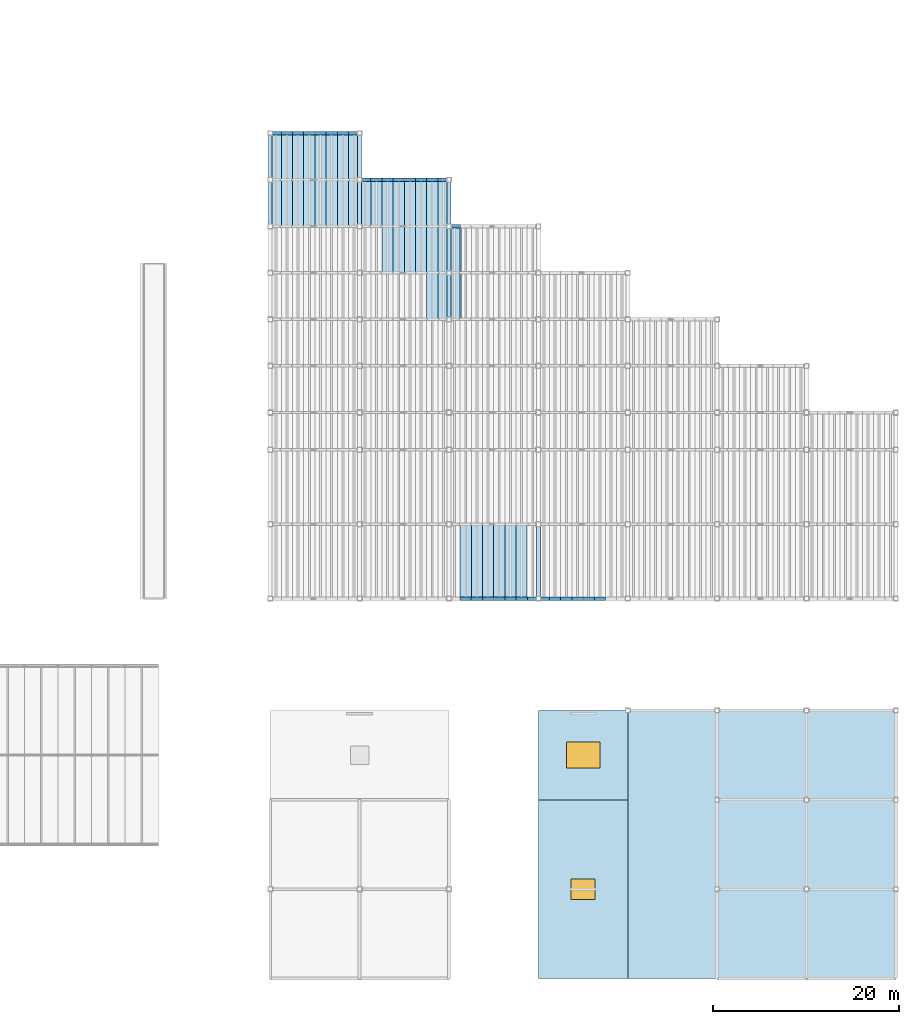
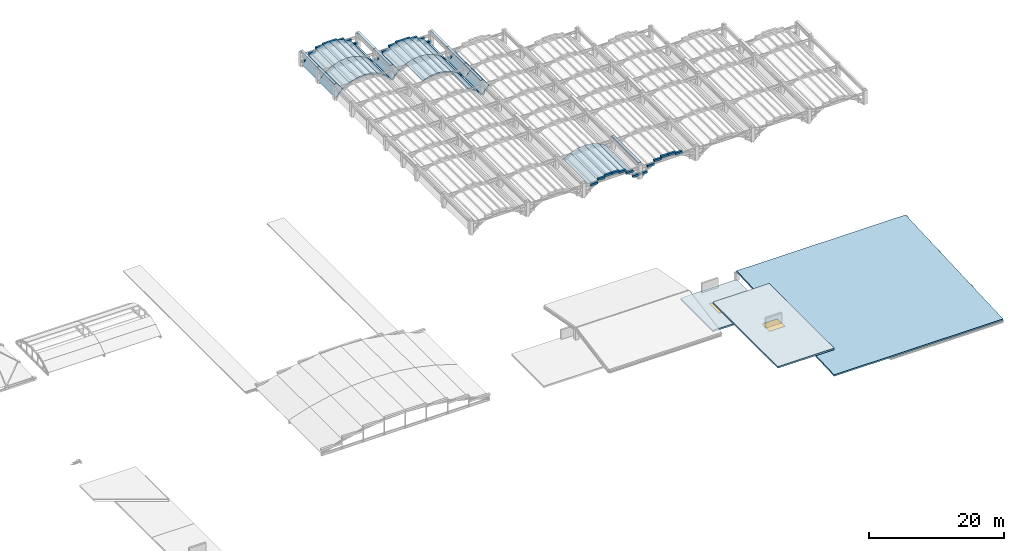
# One storey, part 35 of 70: 43 slabs, 38 plates, 2 windows, 2 openings.
"""IFC4 building model written with IfcOpenShell, lengths in metres."""

from ifc_helpers import new_model, si_unit, direction, frame, origin, origin_2d, place, context, subcontext, project, spatial, polyline, rectangle, outline, extrude, material, layer, layer_set, type_object, element, fill, save


model = new_model("IFC4")

# Units and contexts
model_context = context("Model", 3, precision=1e-05, world=origin(), true_north=direction((0.0, 1.0)))
body_context = subcontext(model_context, "Body", "Model", "MODEL_VIEW")
ifc_project = project(units=[si_unit("LENGTHUNIT", "METRE"), si_unit("AREAUNIT", "SQUARE_METRE"), si_unit("VOLUMEUNIT", "CUBIC_METRE"), si_unit("PLANEANGLEUNIT", "RADIAN"), si_unit("MASSUNIT", "GRAM", prefix="KILO")], contexts=[model_context])

# Site, building, storey
site_placement = place(None, origin())
site = spatial("IfcSite", under=ifc_project, at=site_placement, CompositionType="ELEMENT")
building_placement = place(site_placement, origin())
building = spatial("IfcBuilding", under=site, at=building_placement, Name="Mavantir Sound Aquarium", CompositionType="ELEMENT")
storey_placement = place(building_placement, frame((0.0, 0.0, 27.0)))
storey = spatial("IfcBuildingStorey", under=building, at=storey_placement, Name="RF", CompositionType="ELEMENT", Elevation=27.0)

# Plates
ifc_material_1 = material(Name="Patinated Bronze-Copper Architectural Fascia", Category="metal")
ifc_layer_1 = layer(ifc_material_1, 0.179931640625, Name="Patinated Bronze-Copper Architectural Fascia")
ifc_layer_set_1 = layer_set([ifc_layer_1], Name="Patinated Bronze-Copper Architectural Fascia")
plate_type = type_object("IfcPlateType", Name="PLT-FASCIA-BZ", PredefinedType="SHEET", material=ifc_layer_set_1)
for number, where, z_axis, x_axis, name in (
    (1, (108.0, 83.300048828125, -4.52001953125), (0.0, 0.0, 1.0), (1.0, 0.0, 0.0), "Scalloped roof bronze ridge fascia 8"),
    (2, (108.0, 88.300048828125, -4.52001953125), (0.0, 0.0, 1.0), (1.0, 0.0, 0.0), "Scalloped roof bronze ridge fascia 9"),
    (3, (117.60009765625, 83.300048828125, -4.52001953125), (0.0, 0.0, 1.0), (1.0, 0.0, 0.0), "Scalloped roof bronze ridge fascia 17"),
    (4, (117.60009765625, 88.300048828125, -4.52001953125), (0.0, 0.0, 1.0), (1.0, 0.0, 0.0), "Scalloped roof bronze ridge fascia 18"),
    (5, (127.199951171875, 73.300048828125, -4.52001953125), (0.0, 0.0, 1.0), (1.0, 0.0, 0.0), "Scalloped roof bronze ridge fascia 24"),
    (6, (127.199951171875, 78.300048828125, -4.52001953125), (0.0, 0.0, 1.0), (1.0, 0.0, 0.0), "Scalloped roof bronze ridge fascia 25"),
    (7, (127.199951171875, 83.300048828125, -4.52001953125), (0.0, 0.0, 1.0), (1.0, 0.0, 0.0), "Scalloped roof bronze ridge fascia 26"),
):
    element("IfcPlate", number, at=place(storey_placement, frame(where, z_axis=z_axis, x_axis=x_axis)), inside=storey, type_object=plate_type, Name=name, PredefinedType="SHEET", context=body_context, shape_type="SweptSolid", body=[
        extrude(rectangle(XDim=0.419921875, YDim=5.0, at=origin_2d()), origin(), (0.0, 0.0, 1.0), 0.139892578125),
    ])
plate_placement = place(storey_placement, frame((136.800048828125, 44.800048828125, -4.52001953125), z_axis=(0.0, 0.0, 1.0), x_axis=(1.0, 0.0, 0.0)))
element("IfcPlate", 8, at=plate_placement, inside=storey, type_object=plate_type, Name="Scalloped roof bronze ridge fascia 27", PredefinedType="SHEET", context=body_context, shape_type="SweptSolid", body=[
    extrude(rectangle(XDim=0.419921875, YDim=8.0, at=origin_2d()), origin(), (0.0, 0.0, 1.0), 0.139892578125),
])
for number, where, z_axis, x_axis, name in (
    (9, (108.60009765625, 90.800048828125, -6.638671875), (0.0, 0.0, 1.0), (1.0, 0.0, 0.0), "Scalloped bay 1 curved bronze end fascia 60"),
    (10, (109.800048828125, 90.800048828125, -5.6455078125), (0.0, 0.0, 1.0), (1.0, 0.0, 0.0), "Scalloped bay 1 curved bronze end fascia 61"),
    (11, (111.0, 90.800048828125, -5.08935546875), (0.0, 0.0, 1.0), (1.0, 0.0, 0.0), "Scalloped bay 1 curved bronze end fascia 62"),
    (12, (112.199951171875, 90.800048828125, -4.83203125), (0.0, 0.0, 1.0), (1.0, 0.0, 0.0), "Scalloped bay 1 curved bronze end fascia 63"),
    (13, (113.39990234375, 90.800048828125, -4.83203125), (0.0, 0.0, 1.0), (1.0, 0.0, 0.0), "Scalloped bay 1 curved bronze end fascia 64"),
    (14, (114.60009765625, 90.800048828125, -5.08935546875), (0.0, 0.0, 1.0), (1.0, 0.0, 0.0), "Scalloped bay 1 curved bronze end fascia 65"),
    (15, (115.800048828125, 90.800048828125, -5.6455078125), (0.0, 0.0, 1.0), (1.0, 0.0, 0.0), "Scalloped bay 1 curved bronze end fascia 66"),
    (16, (117.0, 90.800048828125, -6.638671875), (0.0, 0.0, 1.0), (1.0, 0.0, 0.0), "Scalloped bay 1 curved bronze end fascia 67"),
    (17, (118.199951171875, 85.800048828125, -6.638671875), (0.0, 0.0, 1.0), (1.0, 0.0, 0.0), "Scalloped bay 2 curved bronze end fascia 76"),
    (18, (119.39990234375, 85.800048828125, -5.6455078125), (0.0, 0.0, 1.0), (1.0, 0.0, 0.0), "Scalloped bay 2 curved bronze end fascia 77"),
    (19, (120.60009765625, 85.800048828125, -5.08935546875), (0.0, 0.0, 1.0), (1.0, 0.0, 0.0), "Scalloped bay 2 curved bronze end fascia 78"),
    (20, (121.800048828125, 85.800048828125, -4.83203125), (0.0, 0.0, 1.0), (1.0, 0.0, 0.0), "Scalloped bay 2 curved bronze end fascia 79"),
    (21, (123.0, 85.800048828125, -4.83203125), (0.0, 0.0, 1.0), (1.0, 0.0, 0.0), "Scalloped bay 2 curved bronze end fascia 80"),
    (22, (124.199951171875, 85.800048828125, -5.08935546875), (0.0, 0.0, 1.0), (1.0, 0.0, 0.0), "Scalloped bay 2 curved bronze end fascia 81"),
    (23, (125.39990234375, 85.800048828125, -5.6455078125), (0.0, 0.0, 1.0), (1.0, 0.0, 0.0), "Scalloped bay 2 curved bronze end fascia 82"),
    (24, (126.60009765625, 85.800048828125, -6.638671875), (0.0, 0.0, 1.0), (1.0, 0.0, 0.0), "Scalloped bay 2 curved bronze end fascia 83"),
    (25, (129.0, 40.800048828125, -5.6455078125), (0.0, 0.0, 1.0), (1.0, 0.0, 0.0), "Scalloped bay 3 curved bronze end fascia 85"),
    (26, (130.199951171875, 40.800048828125, -5.08935546875), (0.0, 0.0, 1.0), (1.0, 0.0, 0.0), "Scalloped bay 3 curved bronze end fascia 86"),
    (27, (131.39990234375, 40.800048828125, -4.83203125), (0.0, 0.0, 1.0), (1.0, 0.0, 0.0), "Scalloped bay 3 curved bronze end fascia 87"),
    (28, (132.60009765625, 40.800048828125, -4.83203125), (0.0, 0.0, 1.0), (1.0, 0.0, 0.0), "Scalloped bay 3 curved bronze end fascia 88"),
    (29, (133.800048828125, 40.800048828125, -5.08935546875), (0.0, 0.0, 1.0), (1.0, 0.0, 0.0), "Scalloped bay 3 curved bronze end fascia 89"),
    (30, (135.0, 40.800048828125, -5.6455078125), (0.0, 0.0, 1.0), (1.0, 0.0, 0.0), "Scalloped bay 3 curved bronze end fascia 90"),
    (31, (136.199951171875, 40.800048828125, -6.638671875), (0.0, 0.0, 1.0), (1.0, 0.0, 0.0), "Scalloped bay 3 curved bronze end fascia 91"),
    (32, (127.800048828125, 80.800048828125, -6.638671875), (0.0, 0.0, 1.0), (1.0, 0.0, 0.0), "Scalloped bay 3 curved bronze end fascia 92"),
    (33, (137.39990234375, 40.800048828125, -6.638671875), (0.0, 0.0, 1.0), (1.0, 0.0, 0.0), "Scalloped bay 4 curved bronze end fascia 100"),
    (34, (138.60009765625, 40.800048828125, -5.6455078125), (0.0, 0.0, 1.0), (1.0, 0.0, 0.0), "Scalloped bay 4 curved bronze end fascia 101"),
    (35, (139.800048828125, 40.800048828125, -5.08935546875), (0.0, 0.0, 1.0), (1.0, 0.0, 0.0), "Scalloped bay 4 curved bronze end fascia 102"),
    (36, (141.0, 40.800048828125, -4.83203125), (0.0, 0.0, 1.0), (1.0, 0.0, 0.0), "Scalloped bay 4 curved bronze end fascia 103"),
    (37, (142.199951171875, 40.800048828125, -4.83203125), (0.0, 0.0, 1.0), (1.0, 0.0, 0.0), "Scalloped bay 4 curved bronze end fascia 104"),
    (38, (143.39990234375, 40.800048828125, -5.08935546875), (0.0, 0.0, 1.0), (1.0, 0.0, 0.0), "Scalloped bay 4 curved bronze end fascia 105"),
):
    element("IfcPlate", number, at=place(storey_placement, frame(where, z_axis=z_axis, x_axis=x_axis)), inside=storey, type_object=plate_type, Name=name, PredefinedType="SHEET", context=body_context, shape_type="SweptSolid", body=[
        extrude(rectangle(XDim=1.219970703125, YDim=0.360107421875, at=origin_2d()), origin(), (0.0, 0.0, 1.0), 0.360107421875),
    ])

# Slab
ifc_material_2 = material(Name="Concrete C40/50", Category="concrete")
ifc_layer_2 = layer(ifc_material_2, 0.280029296875, Name="Concrete C40/50")
ifc_layer_set_2 = layer_set([ifc_layer_2], Name="Concrete C40/50")
slab_type_1 = type_object("IfcSlabType", Name="SLB-RF-PD", PredefinedType="ROOF", material=ifc_layer_set_2)
slab_1_placement = place(storey_placement, frame((146.39990234375, 0.0, -21.320068359375), z_axis=(0.0, -0.045094587317, 0.99898272167), x_axis=(1.0, 0.0, 0.0)))
element("IfcSlab", 39, at=slab_1_placement, inside=storey, type_object=slab_type_1, Name="Pavilion sloped roof deck RF-V6-L", PredefinedType="ROOF", context=body_context, shape_type="SweptSolid", body=[
    extrude(outline(polyline([(0.0, 0.0), (28.800048828125, 0.0), (28.800048828125, 28.82937632793837), (0.0, 28.82937632793837), (0.0, 0.0)])), origin(), (0.0, 0.0, -1.0), 0.280029296875),
])

# Slab, opening, window
slab_2_placement = place(storey_placement, frame((0.0, 0.0, -21.8798828125)))
slab_2 = element("IfcSlab", 40, at=slab_2_placement, inside=storey, type_object=slab_type_1, Name="Flat insulated roof deck RF-FLAT-V6NE", PredefinedType="ROOF", context=body_context, shape_type="SweptSolid", body=[
    extrude(outline(polyline([(136.800048828125, 19.199951171875), (146.39990234375, 19.199951171875), (146.39990234375, 28.800048828125), (136.800048828125, 28.800048828125), (136.800048828125, 19.199951171875)])), origin(), (0.0, 0.0, 1.0), 0.27978515625),
])
opening_1_placement = place(slab_2_placement, frame((141.60009765625, 24.0, -0.010009765625)))
opening_1 = element("IfcOpeningElement", 41, at=opening_1_placement, cuts=slab_2, Name="Opening SK-05", PredefinedType="OPENING", context=body_context, shape_type="SweptSolid", body=[
    extrude(rectangle(XDim=3.60009765625, YDim=2.800048828125, at=origin_2d()), origin(), (0.0, 0.0, 1.0), 0.2998046875),
])
ifc_material_3 = material(Name="Laminated Hurricane-Impact Low-E Skylight Glass", Category="glass")
window_type_1 = type_object("IfcWindowType", Name="SKY-05", PartitioningType="SINGLE_PANEL", PredefinedType="SKYLIGHT", material=ifc_material_3)
window_1_placement = place(slab_2_placement, frame((141.60009765625, 24.0, 0.229736328125)))
window_1 = element("IfcWindow", 42, at=window_1_placement, inside=storey, type_object=window_type_1, Name="Hurricane-rated roof skylight 5", OverallHeight=2.800048828125, OverallWidth=3.60009765625, PartitioningType="SINGLE_PANEL", PredefinedType="SKYLIGHT", context=body_context, shape_type="SweptSolid", body=[
    extrude(rectangle(XDim=3.60009765625, YDim=2.800048828125, at=origin_2d()), origin(), (0.0, 0.0, 1.0), 0.050048828125),
])
fill(opening_1, window_1)

slab_3_placement = place(storey_placement, frame((0.0, 0.0, -16.780029296875)))
slab_3 = element("IfcSlab", 43, at=slab_3_placement, inside=storey, type_object=slab_type_1, Name="Flat insulated roof deck RF-FLAT-V6E1", PredefinedType="ROOF", context=body_context, shape_type="SweptSolid", body=[
    extrude(outline(polyline([(136.800048828125, 0.0), (146.39990234375, 0.0), (146.39990234375, 19.199951171875), (136.800048828125, 19.199951171875), (136.800048828125, 0.0)])), origin(), (0.0, 0.0, 1.0), 0.280029296875),
])
opening_2_placement = place(slab_3_placement, frame((141.60009765625, 9.60009765625, -0.010009765625)))
opening_2 = element("IfcOpeningElement", 44, at=opening_2_placement, cuts=slab_3, Name="Opening SK-06", PredefinedType="OPENING", context=body_context, shape_type="SweptSolid", body=[
    extrude(rectangle(XDim=2.60009765625, YDim=2.199951171875, at=origin_2d()), origin(), (0.0, 0.0, 1.0), 0.300048828125),
])
window_type_2 = type_object("IfcWindowType", Name="SKY-06", PartitioningType="SINGLE_PANEL", PredefinedType="SKYLIGHT", material=ifc_material_3)
window_2_placement = place(slab_3_placement, frame((141.60009765625, 9.60009765625, 0.22998046875)))
window_2 = element("IfcWindow", 45, at=window_2_placement, inside=storey, type_object=window_type_2, Name="Hurricane-rated roof skylight 6", OverallHeight=2.199951171875, OverallWidth=2.60009765625, PartitioningType="SINGLE_PANEL", PredefinedType="SKYLIGHT", context=body_context, shape_type="SweptSolid", body=[
    extrude(rectangle(XDim=2.60009765625, YDim=2.199951171875, at=origin_2d()), origin(), (0.0, 0.0, 1.0), 0.050048828125),
])
fill(opening_2, window_2)

# Slabs
ifc_layer_3 = layer(ifc_material_2, 0.219970703125, Name="Concrete C40/50")
ifc_layer_set_3 = layer_set([ifc_layer_3], Name="Concrete C40/50")
slab_type_2 = type_object("IfcSlabType", Name="SLB-RF-SC", PredefinedType="ROOF", material=ifc_layer_set_3)
slab_4_placement = place(storey_placement, frame((108.0, 80.800048828125, -6.97998046875), z_axis=(-0.725020424784, 0.0, 0.688727365252), x_axis=(0.688727365252, 0.0, 0.725020424784)))
element("IfcSlab", 46, at=slab_4_placement, inside=storey, type_object=slab_type_2, Name="Scalloped bay 1 sagging-arc roof panel 57", PredefinedType="ROOF", context=body_context, shape_type="SweptSolid", body=[
    extrude(outline(polyline([(0.0, 0.0), (1.74227311475651, 0.0), (1.74227311475651, 5.0), (0.0, 5.0), (0.0, 0.0)])), origin(), (0.0, 0.0, -1.0), 0.219970703125),
])
slab_5_placement = place(storey_placement, frame((109.199951171875, 80.800048828125, -5.716796875), z_axis=(-0.515904776109, 0.0, 0.856645937356), x_axis=(0.856645937356, 0.0, 0.515904776109)))
element("IfcSlab", 47, at=slab_5_placement, inside=storey, type_object=slab_type_2, Name="Scalloped bay 1 sagging-arc roof panel 58", PredefinedType="ROOF", context=body_context, shape_type="SweptSolid", body=[
    extrude(outline(polyline([(0.0, 0.0), (1.4007551072718774, 0.0), (1.4007551072718774, 5.0), (0.0, 5.0), (0.0, 0.0)])), origin(), (0.0, 0.0, -1.0), 0.219970703125),
])
slab_6_placement = place(storey_placement, frame((110.39990234375, 80.800048828125, -4.994140625), z_axis=(-0.30896358205, 0.0, 0.951073869353), x_axis=(0.951073869353, 0.0, 0.30896358205)))
element("IfcSlab", 48, at=slab_6_placement, inside=storey, type_object=slab_type_2, Name="Scalloped bay 1 sagging-arc roof panel 59", PredefinedType="ROOF", context=body_context, shape_type="SweptSolid", body=[
    extrude(outline(polyline([(0.0, 0.0), (1.261937007391388, 0.0), (1.261937007391388, 5.0), (0.0, 5.0), (0.0, 0.0)])), origin(), (0.0, 0.0, -1.0), 0.219970703125),
])
for number, where, z_axis, x_axis, name in (
    (49, (111.60009765625, 80.800048828125, -4.604248046875), (-0.103009624196, 0.0, 0.994680359373), (0.994680359373, 0.0, 0.103009624196), "Scalloped bay 1 sagging-arc roof panel 60"),
    (50, (112.800048828125, 80.800048828125, -4.47998046875), (0.103009624196, 0.0, 0.994680359373), (0.994680359373, 0.0, -0.103009624196), "Scalloped bay 1 sagging-arc roof panel 61"),
):
    element("IfcSlab", number, at=place(storey_placement, frame(where, z_axis=z_axis, x_axis=x_axis)), inside=storey, type_object=slab_type_2, Name=name, PredefinedType="ROOF", context=body_context, shape_type="SweptSolid", body=[
        extrude(outline(polyline([(0.0, 0.0), (1.206368619393442, 0.0), (1.206368619393442, 5.000000000000001), (0.0, 5.000000000000001), (0.0, 0.0)])), origin(), (0.0, 0.0, -1.0), 0.219970703125),
    ])
slab_7_placement = place(storey_placement, frame((114.0, 80.800048828125, -4.604248046875), z_axis=(0.309020441102, 0.0, 0.951055396379), x_axis=(0.951055396379, 0.0, -0.309020441102)))
element("IfcSlab", 51, at=slab_7_placement, inside=storey, type_object=slab_type_2, Name="Scalloped bay 1 sagging-arc roof panel 62", PredefinedType="ROOF", context=body_context, shape_type="SweptSolid", body=[
    extrude(outline(polyline([(0.0, 0.0), (1.2617048138772973, 0.0), (1.2617048138772973, 5.0), (0.0, 5.0), (0.0, 0.0)])), origin(), (0.0, 0.0, -1.0), 0.219970703125),
])
slab_8_placement = place(storey_placement, frame((115.199951171875, 80.800048828125, -4.994140625), z_axis=(0.515904776109, 0.0, 0.856645937356), x_axis=(0.856645937356, 0.0, -0.515904776109)))
element("IfcSlab", 52, at=slab_8_placement, inside=storey, type_object=slab_type_2, Name="Scalloped bay 1 sagging-arc roof panel 63", PredefinedType="ROOF", context=body_context, shape_type="SweptSolid", body=[
    extrude(outline(polyline([(0.0, 0.0), (1.4007551072718774, 0.0), (1.4007551072718774, 5.0), (0.0, 5.0), (0.0, 0.0)])), origin(), (0.0, 0.0, -1.0), 0.219970703125),
])
slab_9_placement = place(storey_placement, frame((116.39990234375, 80.800048828125, -5.716796875), z_axis=(0.724950456261, 0.0, 0.688801013332), x_axis=(0.688801013332, 0.0, -0.724950456261)))
element("IfcSlab", 53, at=slab_9_placement, inside=storey, type_object=slab_type_2, Name="Scalloped bay 1 sagging-arc roof panel 64", PredefinedType="ROOF", context=body_context, shape_type="SweptSolid", body=[
    extrude(outline(polyline([(0.0, 0.0), (1.7424412700765952, 0.0), (1.7424412700765952, 5.0), (0.0, 5.0), (0.0, 0.0)])), origin(), (0.0, 0.0, -1.0), 0.219970703125),
])
slab_10_placement = place(storey_placement, frame((108.0, 85.800048828125, -6.97998046875), z_axis=(-0.725020424784, 0.0, 0.688727365252), x_axis=(0.688727365252, 0.0, 0.725020424784)))
element("IfcSlab", 54, at=slab_10_placement, inside=storey, type_object=slab_type_2, Name="Scalloped bay 1 sagging-arc roof panel 65", PredefinedType="ROOF", context=body_context, shape_type="SweptSolid", body=[
    extrude(outline(polyline([(0.0, 0.0), (1.74227311475651, 0.0), (1.74227311475651, 5.0), (0.0, 5.0), (0.0, 0.0)])), origin(), (0.0, 0.0, -1.0), 0.219970703125),
])
slab_11_placement = place(storey_placement, frame((109.199951171875, 85.800048828125, -5.716796875), z_axis=(-0.515904776109, 0.0, 0.856645937356), x_axis=(0.856645937356, 0.0, 0.515904776109)))
element("IfcSlab", 55, at=slab_11_placement, inside=storey, type_object=slab_type_2, Name="Scalloped bay 1 sagging-arc roof panel 66", PredefinedType="ROOF", context=body_context, shape_type="SweptSolid", body=[
    extrude(outline(polyline([(0.0, 0.0), (1.4007551072718774, 0.0), (1.4007551072718774, 5.0), (0.0, 5.0), (0.0, 0.0)])), origin(), (0.0, 0.0, -1.0), 0.219970703125),
])
slab_12_placement = place(storey_placement, frame((110.39990234375, 85.800048828125, -4.994140625), z_axis=(-0.30896358205, 0.0, 0.951073869353), x_axis=(0.951073869353, 0.0, 0.30896358205)))
element("IfcSlab", 56, at=slab_12_placement, inside=storey, type_object=slab_type_2, Name="Scalloped bay 1 sagging-arc roof panel 67", PredefinedType="ROOF", context=body_context, shape_type="SweptSolid", body=[
    extrude(outline(polyline([(0.0, 0.0), (1.261937007391388, 0.0), (1.261937007391388, 5.0), (0.0, 5.0), (0.0, 0.0)])), origin(), (0.0, 0.0, -1.0), 0.219970703125),
])
for number, where, z_axis, x_axis, name in (
    (57, (111.60009765625, 85.800048828125, -4.604248046875), (-0.103009624196, 0.0, 0.994680359373), (0.994680359373, 0.0, 0.103009624196), "Scalloped bay 1 sagging-arc roof panel 68"),
    (58, (112.800048828125, 85.800048828125, -4.47998046875), (0.103009624196, 0.0, 0.994680359373), (0.994680359373, 0.0, -0.103009624196), "Scalloped bay 1 sagging-arc roof panel 69"),
):
    element("IfcSlab", number, at=place(storey_placement, frame(where, z_axis=z_axis, x_axis=x_axis)), inside=storey, type_object=slab_type_2, Name=name, PredefinedType="ROOF", context=body_context, shape_type="SweptSolid", body=[
        extrude(outline(polyline([(0.0, 0.0), (1.206368619393442, 0.0), (1.206368619393442, 5.000000000000001), (0.0, 5.000000000000001), (0.0, 0.0)])), origin(), (0.0, 0.0, -1.0), 0.219970703125),
    ])
slab_13_placement = place(storey_placement, frame((114.0, 85.800048828125, -4.604248046875), z_axis=(0.309020441102, 0.0, 0.951055396379), x_axis=(0.951055396379, 0.0, -0.309020441102)))
element("IfcSlab", 59, at=slab_13_placement, inside=storey, type_object=slab_type_2, Name="Scalloped bay 1 sagging-arc roof panel 70", PredefinedType="ROOF", context=body_context, shape_type="SweptSolid", body=[
    extrude(outline(polyline([(0.0, 0.0), (1.2617048138772973, 0.0), (1.2617048138772973, 5.0), (0.0, 5.0), (0.0, 0.0)])), origin(), (0.0, 0.0, -1.0), 0.219970703125),
])
slab_14_placement = place(storey_placement, frame((115.199951171875, 85.800048828125, -4.994140625), z_axis=(0.515904776109, 0.0, 0.856645937356), x_axis=(0.856645937356, 0.0, -0.515904776109)))
element("IfcSlab", 60, at=slab_14_placement, inside=storey, type_object=slab_type_2, Name="Scalloped bay 1 sagging-arc roof panel 71", PredefinedType="ROOF", context=body_context, shape_type="SweptSolid", body=[
    extrude(outline(polyline([(0.0, 0.0), (1.4007551072718774, 0.0), (1.4007551072718774, 5.0), (0.0, 5.0), (0.0, 0.0)])), origin(), (0.0, 0.0, -1.0), 0.219970703125),
])
slab_15_placement = place(storey_placement, frame((116.39990234375, 85.800048828125, -5.716796875), z_axis=(0.724950456261, 0.0, 0.688801013332), x_axis=(0.688801013332, 0.0, -0.724950456261)))
element("IfcSlab", 61, at=slab_15_placement, inside=storey, type_object=slab_type_2, Name="Scalloped bay 1 sagging-arc roof panel 72", PredefinedType="ROOF", context=body_context, shape_type="SweptSolid", body=[
    extrude(outline(polyline([(0.0, 0.0), (1.7424412700765952, 0.0), (1.7424412700765952, 5.0), (0.0, 5.0), (0.0, 0.0)])), origin(), (0.0, 0.0, -1.0), 0.219970703125),
])
slab_16_placement = place(storey_placement, frame((124.800048828125, 70.800048828125, -4.994140625), z_axis=(0.515904776109, 0.0, 0.856645937356), x_axis=(0.856645937356, 0.0, -0.515904776109)))
element("IfcSlab", 62, at=slab_16_placement, inside=storey, type_object=slab_type_2, Name="Scalloped bay 2 sagging-arc roof panel 119", PredefinedType="ROOF", context=body_context, shape_type="SweptSolid", body=[
    extrude(outline(polyline([(0.0, 0.0), (1.4007551072718774, 0.0), (1.4007551072718774, 5.0), (0.0, 5.0), (0.0, 0.0)])), origin(), (0.0, 0.0, -1.0), 0.219970703125),
])
slab_17_placement = place(storey_placement, frame((126.0, 70.800048828125, -5.716796875), z_axis=(0.725020424784, 0.0, 0.688727365252), x_axis=(0.688727365252, 0.0, -0.725020424784)))
element("IfcSlab", 63, at=slab_17_placement, inside=storey, type_object=slab_type_2, Name="Scalloped bay 2 sagging-arc roof panel 120", PredefinedType="ROOF", context=body_context, shape_type="SweptSolid", body=[
    extrude(outline(polyline([(0.0, 0.0), (1.74227311475651, 0.0), (1.74227311475651, 5.0), (0.0, 5.0), (0.0, 0.0)])), origin(), (0.0, 0.0, -1.0), 0.219970703125),
])
slab_18_placement = place(storey_placement, frame((120.0, 75.800048828125, -4.994140625), z_axis=(-0.309020441102, 0.0, 0.951055396379), x_axis=(0.951055396379, 0.0, 0.309020441102)))
element("IfcSlab", 64, at=slab_18_placement, inside=storey, type_object=slab_type_2, Name="Scalloped bay 2 sagging-arc roof panel 123", PredefinedType="ROOF", context=body_context, shape_type="SweptSolid", body=[
    extrude(outline(polyline([(0.0, 0.0), (1.2617048138772973, 0.0), (1.2617048138772973, 5.0), (0.0, 5.0), (0.0, 0.0)])), origin(), (0.0, 0.0, -1.0), 0.219970703125),
])
slab_19_placement = place(storey_placement, frame((121.199951171875, 75.800048828125, -4.604248046875), z_axis=(-0.103009624196, 0.0, 0.994680359373), x_axis=(0.994680359373, 0.0, 0.103009624196)))
element("IfcSlab", 65, at=slab_19_placement, inside=storey, type_object=slab_type_2, Name="Scalloped bay 2 sagging-arc roof panel 124", PredefinedType="ROOF", context=body_context, shape_type="SweptSolid", body=[
    extrude(outline(polyline([(0.0, 0.0), (1.206368619393442, 0.0), (1.206368619393442, 5.000000000000001), (0.0, 5.000000000000001), (0.0, 0.0)])), origin(), (0.0, 0.0, -1.0), 0.219970703125),
])
slab_20_placement = place(storey_placement, frame((122.39990234375, 75.800048828125, -4.47998046875), z_axis=(0.102988892519, 0.0, 0.994682506138), x_axis=(0.994682506138, 0.0, -0.102988892519)))
element("IfcSlab", 66, at=slab_20_placement, inside=storey, type_object=slab_type_2, Name="Scalloped bay 2 sagging-arc roof panel 125", PredefinedType="ROOF", context=body_context, shape_type="SweptSolid", body=[
    extrude(outline(polyline([(0.0, 0.0), (1.206611461540137, 0.0), (1.206611461540137, 5.000000000000001), (0.0, 5.000000000000001), (0.0, 0.0)])), origin(), (0.0, 0.0, -1.0), 0.219970703125),
])
slab_21_placement = place(storey_placement, frame((123.60009765625, 75.800048828125, -4.604248046875), z_axis=(0.309020441102, 0.0, 0.951055396379), x_axis=(0.951055396379, 0.0, -0.309020441102)))
element("IfcSlab", 67, at=slab_21_placement, inside=storey, type_object=slab_type_2, Name="Scalloped bay 2 sagging-arc roof panel 126", PredefinedType="ROOF", context=body_context, shape_type="SweptSolid", body=[
    extrude(outline(polyline([(0.0, 0.0), (1.2617048138772973, 0.0), (1.2617048138772973, 5.0), (0.0, 5.0), (0.0, 0.0)])), origin(), (0.0, 0.0, -1.0), 0.219970703125),
])
slab_22_placement = place(storey_placement, frame((124.800048828125, 75.800048828125, -4.994140625), z_axis=(0.515904776109, 0.0, 0.856645937356), x_axis=(0.856645937356, 0.0, -0.515904776109)))
element("IfcSlab", 68, at=slab_22_placement, inside=storey, type_object=slab_type_2, Name="Scalloped bay 2 sagging-arc roof panel 127", PredefinedType="ROOF", context=body_context, shape_type="SweptSolid", body=[
    extrude(outline(polyline([(0.0, 0.0), (1.4007551072718774, 0.0), (1.4007551072718774, 5.0), (0.0, 5.0), (0.0, 0.0)])), origin(), (0.0, 0.0, -1.0), 0.219970703125),
])
for number, where, z_axis, x_axis, name in (
    (69, (126.0, 75.800048828125, -5.716796875), (0.725020424784, 0.0, 0.688727365252), (0.688727365252, 0.0, -0.725020424784), "Scalloped bay 2 sagging-arc roof panel 128"),
    (70, (117.60009765625, 80.800048828125, -6.97998046875), (-0.725020424784, 0.0, 0.688727365252), (0.688727365252, 0.0, 0.725020424784), "Scalloped bay 2 sagging-arc roof panel 129"),
):
    element("IfcSlab", number, at=place(storey_placement, frame(where, z_axis=z_axis, x_axis=x_axis)), inside=storey, type_object=slab_type_2, Name=name, PredefinedType="ROOF", context=body_context, shape_type="SweptSolid", body=[
        extrude(outline(polyline([(0.0, 0.0), (1.74227311475651, 0.0), (1.74227311475651, 5.0), (0.0, 5.0), (0.0, 0.0)])), origin(), (0.0, 0.0, -1.0), 0.219970703125),
    ])
slab_23_placement = place(storey_placement, frame((118.800048828125, 80.800048828125, -5.716796875), z_axis=(-0.515904776109, 0.0, 0.856645937356), x_axis=(0.856645937356, 0.0, 0.515904776109)))
element("IfcSlab", 71, at=slab_23_placement, inside=storey, type_object=slab_type_2, Name="Scalloped bay 2 sagging-arc roof panel 130", PredefinedType="ROOF", context=body_context, shape_type="SweptSolid", body=[
    extrude(outline(polyline([(0.0, 0.0), (1.4007551072718774, 0.0), (1.4007551072718774, 5.0), (0.0, 5.0), (0.0, 0.0)])), origin(), (0.0, 0.0, -1.0), 0.219970703125),
])
slab_24_placement = place(storey_placement, frame((120.0, 80.800048828125, -4.994140625), z_axis=(-0.309020441102, 0.0, 0.951055396379), x_axis=(0.951055396379, 0.0, 0.309020441102)))
element("IfcSlab", 72, at=slab_24_placement, inside=storey, type_object=slab_type_2, Name="Scalloped bay 2 sagging-arc roof panel 131", PredefinedType="ROOF", context=body_context, shape_type="SweptSolid", body=[
    extrude(outline(polyline([(0.0, 0.0), (1.2617048138772973, 0.0), (1.2617048138772973, 5.0), (0.0, 5.0), (0.0, 0.0)])), origin(), (0.0, 0.0, -1.0), 0.219970703125),
])
slab_25_placement = place(storey_placement, frame((121.199951171875, 80.800048828125, -4.604248046875), z_axis=(-0.103009624196, 0.0, 0.994680359373), x_axis=(0.994680359373, 0.0, 0.103009624196)))
element("IfcSlab", 73, at=slab_25_placement, inside=storey, type_object=slab_type_2, Name="Scalloped bay 2 sagging-arc roof panel 132", PredefinedType="ROOF", context=body_context, shape_type="SweptSolid", body=[
    extrude(outline(polyline([(0.0, 0.0), (1.206368619393442, 0.0), (1.206368619393442, 5.000000000000001), (0.0, 5.000000000000001), (0.0, 0.0)])), origin(), (0.0, 0.0, -1.0), 0.219970703125),
])
slab_26_placement = place(storey_placement, frame((122.39990234375, 80.800048828125, -4.47998046875), z_axis=(0.102988892519, 0.0, 0.994682506138), x_axis=(0.994682506138, 0.0, -0.102988892519)))
element("IfcSlab", 74, at=slab_26_placement, inside=storey, type_object=slab_type_2, Name="Scalloped bay 2 sagging-arc roof panel 133", PredefinedType="ROOF", context=body_context, shape_type="SweptSolid", body=[
    extrude(outline(polyline([(0.0, 0.0), (1.206611461540137, 0.0), (1.206611461540137, 5.000000000000001), (0.0, 5.000000000000001), (0.0, 0.0)])), origin(), (0.0, 0.0, -1.0), 0.219970703125),
])
slab_27_placement = place(storey_placement, frame((123.60009765625, 80.800048828125, -4.604248046875), z_axis=(0.309020441102, 0.0, 0.951055396379), x_axis=(0.951055396379, 0.0, -0.309020441102)))
element("IfcSlab", 75, at=slab_27_placement, inside=storey, type_object=slab_type_2, Name="Scalloped bay 2 sagging-arc roof panel 134", PredefinedType="ROOF", context=body_context, shape_type="SweptSolid", body=[
    extrude(outline(polyline([(0.0, 0.0), (1.2617048138772973, 0.0), (1.2617048138772973, 5.0), (0.0, 5.0), (0.0, 0.0)])), origin(), (0.0, 0.0, -1.0), 0.219970703125),
])
slab_28_placement = place(storey_placement, frame((124.800048828125, 80.800048828125, -4.994140625), z_axis=(0.515904776109, 0.0, 0.856645937356), x_axis=(0.856645937356, 0.0, -0.515904776109)))
element("IfcSlab", 76, at=slab_28_placement, inside=storey, type_object=slab_type_2, Name="Scalloped bay 2 sagging-arc roof panel 135", PredefinedType="ROOF", context=body_context, shape_type="SweptSolid", body=[
    extrude(outline(polyline([(0.0, 0.0), (1.4007551072718774, 0.0), (1.4007551072718774, 5.0), (0.0, 5.0), (0.0, 0.0)])), origin(), (0.0, 0.0, -1.0), 0.219970703125),
])
slab_29_placement = place(storey_placement, frame((126.0, 80.800048828125, -5.716796875), z_axis=(0.725020424784, 0.0, 0.688727365252), x_axis=(0.688727365252, 0.0, -0.725020424784)))
element("IfcSlab", 77, at=slab_29_placement, inside=storey, type_object=slab_type_2, Name="Scalloped bay 2 sagging-arc roof panel 136", PredefinedType="ROOF", context=body_context, shape_type="SweptSolid", body=[
    extrude(outline(polyline([(0.0, 0.0), (1.74227311475651, 0.0), (1.74227311475651, 5.0), (0.0, 5.0), (0.0, 0.0)])), origin(), (0.0, 0.0, -1.0), 0.219970703125),
])
slab_30_placement = place(storey_placement, frame((128.39990234375, 40.800048828125, -5.716796875), z_axis=(-0.515827757501, 0.0, 0.856692316174), x_axis=(0.856692316174, 0.0, 0.515827757501)))
element("IfcSlab", 78, at=slab_30_placement, inside=storey, type_object=slab_type_2, Name="Scalloped bay 3 sagging-arc roof panel 138", PredefinedType="ROOF", context=body_context, shape_type="SweptSolid", body=[
    extrude(outline(polyline([(0.0, 0.0), (1.4009642550083266, 0.0), (1.4009642550083266, 8.0), (0.0, 8.0), (0.0, 0.0)])), origin(), (0.0, 0.0, -1.0), 0.219970703125),
])
slab_31_placement = place(storey_placement, frame((129.60009765625, 40.800048828125, -4.994140625), z_axis=(-0.309020441102, 0.0, 0.951055396379), x_axis=(0.951055396379, 0.0, 0.309020441102)))
element("IfcSlab", 79, at=slab_31_placement, inside=storey, type_object=slab_type_2, Name="Scalloped bay 3 sagging-arc roof panel 139", PredefinedType="ROOF", context=body_context, shape_type="SweptSolid", body=[
    extrude(outline(polyline([(0.0, 0.0), (1.2617048138772973, 0.0), (1.2617048138772973, 8.000000000000002), (0.0, 8.000000000000002), (0.0, 0.0)])), origin(), (0.0, 0.0, -1.0), 0.219970703125),
])
for number, where, z_axis, x_axis, name in (
    (80, (130.800048828125, 40.800048828125, -4.604248046875), (-0.103009624196, 0.0, 0.994680359373), (0.994680359373, 0.0, 0.103009624196), "Scalloped bay 3 sagging-arc roof panel 140"),
    (81, (132.0, 40.800048828125, -4.47998046875), (0.103009624196, 0.0, 0.994680359373), (0.994680359373, 0.0, -0.103009624196), "Scalloped bay 3 sagging-arc roof panel 141"),
):
    element("IfcSlab", number, at=place(storey_placement, frame(where, z_axis=z_axis, x_axis=x_axis)), inside=storey, type_object=slab_type_2, Name=name, PredefinedType="ROOF", context=body_context, shape_type="SweptSolid", body=[
        extrude(outline(polyline([(0.0, 0.0), (1.206368619393442, 0.0), (1.206368619393442, 8.000000000000002), (0.0, 8.000000000000002), (0.0, 0.0)])), origin(), (0.0, 0.0, -1.0), 0.219970703125),
    ])
slab_32_placement = place(storey_placement, frame((133.199951171875, 40.800048828125, -4.604248046875), z_axis=(0.309020441102, 0.0, 0.951055396379), x_axis=(0.951055396379, 0.0, -0.309020441102)))
element("IfcSlab", 82, at=slab_32_placement, inside=storey, type_object=slab_type_2, Name="Scalloped bay 3 sagging-arc roof panel 142", PredefinedType="ROOF", context=body_context, shape_type="SweptSolid", body=[
    extrude(outline(polyline([(0.0, 0.0), (1.2617048138772973, 0.0), (1.2617048138772973, 8.000000000000002), (0.0, 8.000000000000002), (0.0, 0.0)])), origin(), (0.0, 0.0, -1.0), 0.219970703125),
])
slab_33_placement = place(storey_placement, frame((134.39990234375, 40.800048828125, -4.994140625), z_axis=(0.515827757501, 0.0, 0.856692316174), x_axis=(0.856692316174, 0.0, -0.515827757501)))
element("IfcSlab", 83, at=slab_33_placement, inside=storey, type_object=slab_type_2, Name="Scalloped bay 3 sagging-arc roof panel 143", PredefinedType="ROOF", context=body_context, shape_type="SweptSolid", body=[
    extrude(outline(polyline([(0.0, 0.0), (1.4009642550083266, 0.0), (1.4009642550083266, 8.0), (0.0, 8.0), (0.0, 0.0)])), origin(), (0.0, 0.0, -1.0), 0.219970703125),
])
for number, where, z_axis, x_axis, name in (
    (84, (127.199951171875, 70.800048828125, -6.97998046875), (-0.725020424784, 0.0, 0.688727365252), (0.688727365252, 0.0, 0.725020424784), "Scalloped bay 3 sagging-arc roof panel 177"),
    (85, (127.199951171875, 75.800048828125, -6.97998046875), (-0.725020424784, 0.0, 0.688727365252), (0.688727365252, 0.0, 0.725020424784), "Scalloped bay 3 sagging-arc roof panel 185"),
):
    element("IfcSlab", number, at=place(storey_placement, frame(where, z_axis=z_axis, x_axis=x_axis)), inside=storey, type_object=slab_type_2, Name=name, PredefinedType="ROOF", context=body_context, shape_type="SweptSolid", body=[
        extrude(outline(polyline([(0.0, 0.0), (1.74227311475651, 0.0), (1.74227311475651, 5.0), (0.0, 5.0), (0.0, 0.0)])), origin(), (0.0, 0.0, -1.0), 0.219970703125),
    ])

save(model, "model.ifc")
